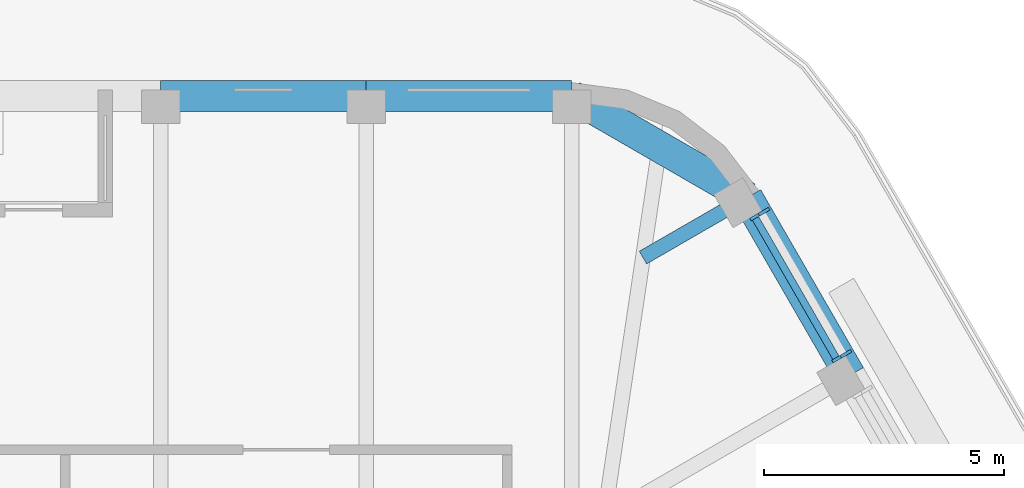
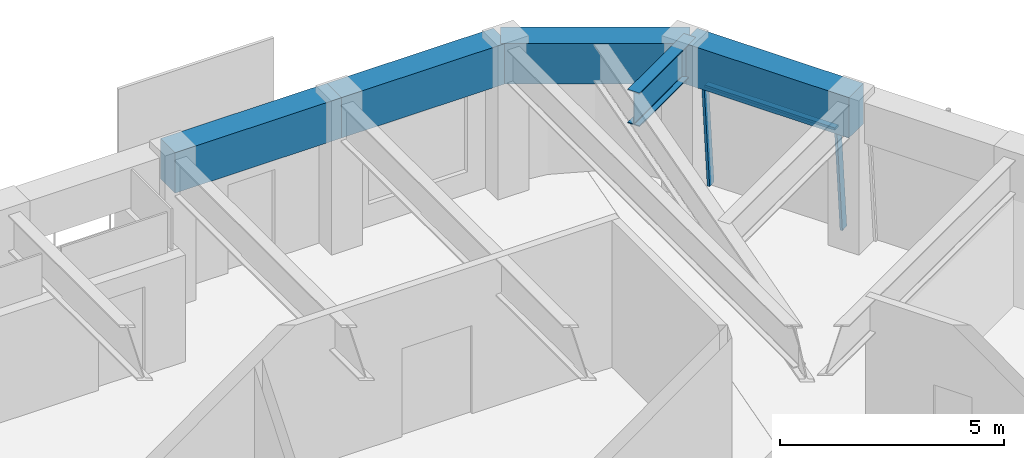
# One storey, part 11 of 19: 5 beams, 3 members, 1 element without a shape of its own.
"""IFC4 building model written with IfcOpenShell, lengths in metres."""

from ifc_helpers import new_model, si_unit, direction, frame, origin, origin_2d, place, context, subcontext, project, spatial, rectangle, i_section, extrude, material, material_profile, profile_set, type_object, element, aggregate, save


model = new_model("IFC4")

# Units and contexts
model_context = context("Model", 3, precision=1e-05, world=origin(), true_north=direction((0.0, 1.0)))
body_context = subcontext(model_context, "Body", "Model", "MODEL_VIEW")
ifc_project = project(units=[si_unit("LENGTHUNIT", "METRE"), si_unit("AREAUNIT", "SQUARE_METRE"), si_unit("VOLUMEUNIT", "CUBIC_METRE"), si_unit("PLANEANGLEUNIT", "RADIAN"), si_unit("MASSUNIT", "GRAM", prefix="KILO")], contexts=[model_context])

# Site, building, storey
site_placement = place(None, origin())
site = spatial("IfcSite", under=ifc_project, at=site_placement, CompositionType="ELEMENT")
building_placement = place(site_placement, origin())
building = spatial("IfcBuilding", under=site, at=building_placement, Name="Tarfa Lantern Tower", CompositionType="ELEMENT")
storey_placement = place(building_placement, frame((0.0, 0.0, 387.10009765625)))
storey = spatial("IfcBuildingStorey", under=building, at=storey_placement, Name="L88", CompositionType="ELEMENT", Elevation=387.10009765625)

# Curtain wall, members
ifc_material_1 = material(Name="Aluminium framed curtain wall", Category="aluminium")
curtain_wall_type = type_object("IfcCurtainWallType", Name="CW4 CANTED GLAZING EXECUTIVE ZONE 2900", PredefinedType="USERDEFINED", material=ifc_material_1)
curtain_wall_placement = place(storey_placement, origin())
curtain_wall = element("IfcCurtainWall", 1, at=curtain_wall_placement, inside=storey, type_object=curtain_wall_type, Name="CW4 NE L88", ObjectType="CURTAIN WALL", PredefinedType="USERDEFINED")
ifc_material_2 = material(Name="Aluminium mullion", Category="aluminium")
ifc_material_profile_1 = material_profile(ifc_material_2, rectangle(XDim=0.06494140625, YDim=0.199951171875, at=origin_2d()), Name="AL MULLION 65x200")
ifc_profile_set_1 = profile_set([ifc_material_profile_1], Name="Aluminium mullion")
member_type_1 = type_object("IfcMemberType", Name="CWM1 MULLION 65x200", PredefinedType="MULLION", material=ifc_profile_set_1)
member_1_placement = place(storey_placement, frame((18.581298828125, 21.1162109375, 0.0), z_axis=(-0.074399820079, -0.042945555672, 0.996303340364), x_axis=(0.499919672301, -0.866071776036, 0.0)))
member_1 = element("IfcMember", 2, at=member_1_placement, type_object=member_type_1, Name="CW4 mullion 1", PredefinedType="MULLION", context=body_context, shape_type="SweptSolid", body=[
    extrude(rectangle(XDim=0.06494140625, YDim=0.199951171875, at=origin_2d()), origin(), (0.0, 0.0, 1.0), 2.91064453125),
])
member_2_placement = place(storey_placement, frame((16.872802734375, 24.075439453125, 0.0), z_axis=(-0.074399820079, -0.042945555672, 0.996303340364), x_axis=(0.499919672301, -0.866071776036, 0.0)))
member_2 = element("IfcMember", 3, at=member_2_placement, type_object=member_type_1, Name="CW4 mullion 2", PredefinedType="MULLION", context=body_context, shape_type="SweptSolid", body=[
    extrude(rectangle(XDim=0.06494140625, YDim=0.199951171875, at=origin_2d()), origin(), (0.0, 0.0, 1.0), 2.91064453125),
])
ifc_material_3 = material(Name="Aluminium transom", Category="aluminium")
ifc_material_profile_2 = material_profile(ifc_material_3, rectangle(XDim=0.14990234375, YDim=0.06494140625, at=origin_2d()), Name="AL TRANSOM 150x65")
ifc_profile_set_2 = profile_set([ifc_material_profile_2], Name="Aluminium transom")
member_type_2 = type_object("IfcMemberType", Name="CWT1 TRANSOM 150x65", PredefinedType="USERDEFINED", material=ifc_profile_set_2)
member_3_placement = place(storey_placement, frame((18.35107421875, 21.020751953125, 2.867431640625), z_axis=(-0.500016677412, 0.866015774862, 0.0), x_axis=(-0.866015774862, -0.500016677412, 0.0)))
member_3 = element("IfcMember", 4, at=member_3_placement, type_object=member_type_2, Name="CW4 transom 1.2", ObjectType="TRANSOM", PredefinedType="USERDEFINED", context=body_context, shape_type="SweptSolid", body=[
    extrude(rectangle(XDim=0.14990234375, YDim=0.06494140625, at=origin_2d()), origin(), (0.0, 0.0, 1.0), 3.35205078125),
])
aggregate(curtain_wall, [member_1, member_2, member_3])

# Beams
ifc_material_4 = material(Name="Concrete C80/95", Category="concrete")
ifc_material_profile_3 = material_profile(ifc_material_4, rectangle(XDim=0.64990234375, YDim=1.10009765625, at=origin_2d()), Name="RC 650x1100")
ifc_profile_set_3 = profile_set([ifc_material_profile_3], Name="Concrete C80/95")
beam_type_1 = type_object("IfcBeamType", Name="EB4 RC 650x1100", PredefinedType="SPANDREL", material=ifc_profile_set_3)
beam_1_placement = place(storey_placement, frame((18.6416015625, 20.651611328125, 3.449951171875), z_axis=(-0.499959351497, 0.866048870937, 0.0), x_axis=(-0.866048870937, -0.499959351497, 0.0)))
element("IfcBeam", 5, at=beam_1_placement, inside=storey, type_object=beam_type_1, Name="Edge beam NE5", PredefinedType="SPANDREL", context=body_context, shape_type="SweptSolid", body=[
    extrude(rectangle(XDim=0.64990234375, YDim=1.10009765625, at=origin_2d()), origin(), (0.0, 0.0, 1.0), 4.281982421875),
])
beam_2_placement = place(storey_placement, frame((16.500732421875, 24.360107421875, 3.449951171875), z_axis=(-0.866048788483, 0.499959494327, 0.0), x_axis=(-0.499959494327, -0.866048788483, 0.0)))
element("IfcBeam", 6, at=beam_2_placement, inside=storey, type_object=beam_type_1, Name="Edge beam NE6", PredefinedType="SPANDREL", context=body_context, shape_type="SweptSolid", body=[
    extrude(rectangle(XDim=0.64990234375, YDim=1.10009765625, at=origin_2d()), origin(), (0.0, 0.0, 1.0), 4.219970703125),
])
for number, where, z_axis, x_axis, name in (
    (7, (12.845947265625, 26.469970703125, 3.449951171875), (-1.0, 0.0, 0.0), (0.0, -1.0, 0.0), "Edge beam N0"),
    (8, (8.56396484375, 26.469970703125, 3.449951171875), (-1.0, 0.0, 0.0), (0.0, -1.0, 0.0), "Edge beam N1"),
):
    element("IfcBeam", number, at=place(storey_placement, frame(where, z_axis=z_axis, x_axis=x_axis)), inside=storey, type_object=beam_type_1, Name=name, PredefinedType="SPANDREL", context=body_context, shape_type="SweptSolid", body=[
        extrude(rectangle(XDim=0.64990234375, YDim=1.10009765625, at=origin_2d()), origin(), (0.0, 0.0, 1.0), 4.281982421875),
    ])
ifc_material_5 = material(Name="Steel S460M", Category="steel")
ifc_material_profile_4 = material_profile(ifc_material_5, i_section(OverallWidth=0.305419921875, OverallDepth=0.91845703125, WebThickness=0.017333984375, FlangeThickness=0.02783203125, FilletRadius=0.01904296875, at=origin_2d()), Name="UB914x305x253")
ifc_profile_set_4 = profile_set([ifc_material_profile_4], Name="Steel S460M")
beam_type_2 = type_object("IfcBeamType", Name="UB914x305x253", PredefinedType="BEAM", material=ifc_profile_set_4)
beam_3_placement = place(storey_placement, frame((16.500732421875, 24.360107421875, 3.540771484375), z_axis=(-0.865992557167, -0.500056887695, 0.0), x_axis=(0.500056887695, -0.865992557167, 0.0)))
element("IfcBeam", 9, at=beam_3_placement, inside=storey, type_object=beam_type_2, Name="Floor beam NE6", PredefinedType="BEAM", context=body_context, shape_type="SweptSolid", body=[
    extrude(i_section(OverallWidth=0.305419921875, OverallDepth=0.91845703125, WebThickness=0.017333984375, FlangeThickness=0.02783203125, FilletRadius=0.01904296875, at=origin_2d()), origin(), (0.0, 0.0, 1.0), 2.506591796875),
])

save(model, "model.ifc")
